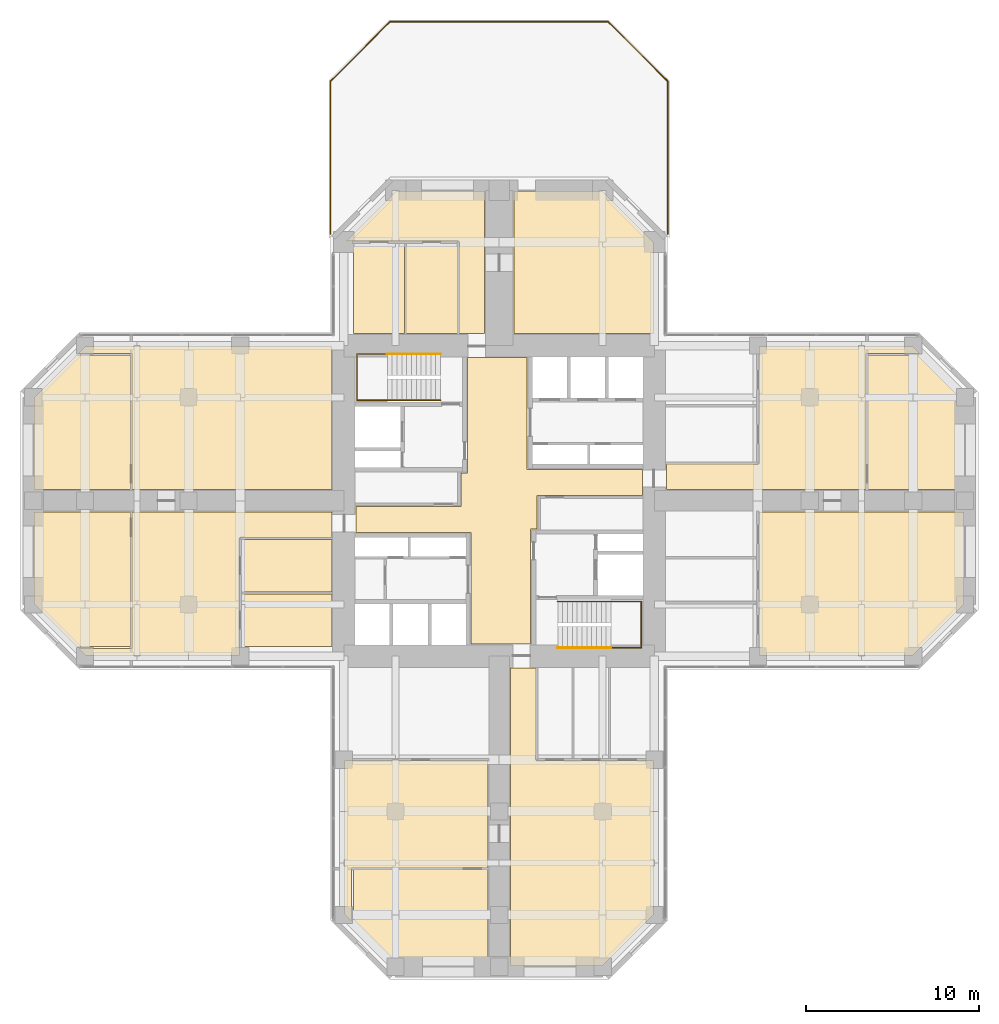
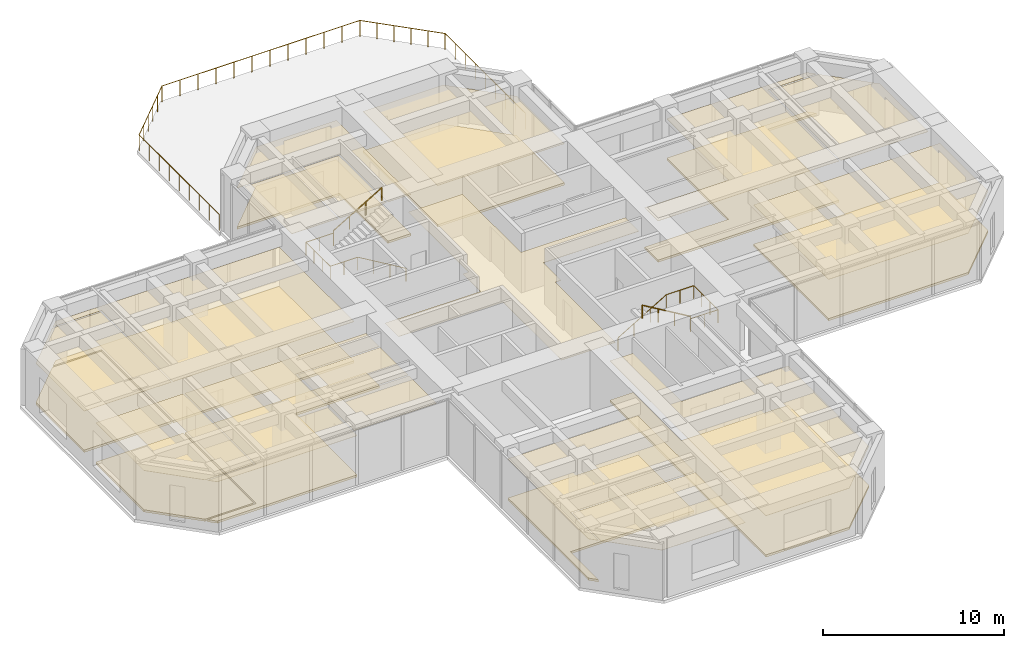
# One storey, part 12 of 12: 27 coverings, 5 railings.
"""IFC4 building model written with IfcOpenShell, lengths in metres."""

from ifc_helpers import new_model, si_unit, direction, frame, origin, origin_2d, place, context, subcontext, project, spatial, polyline, circle, outline, extrude, material, layer, layer_set, constituent, constituent_set, type_object, element, save


model = new_model("IFC4")

# Units and contexts
model_context = context("Model", 3, precision=1e-05, world=origin(), true_north=direction((0.0, 1.0)))
body_context = subcontext(model_context, "Body", "Model", "MODEL_VIEW")
ifc_project = project(units=[si_unit("LENGTHUNIT", "METRE"), si_unit("AREAUNIT", "SQUARE_METRE"), si_unit("VOLUMEUNIT", "CUBIC_METRE"), si_unit("PLANEANGLEUNIT", "RADIAN"), si_unit("MASSUNIT", "GRAM", prefix="KILO")], contexts=[model_context])

# Site, building, storey
site_placement = place(None, origin())
site = spatial("IfcSite", under=ifc_project, at=site_placement, CompositionType="ELEMENT")
building_placement = place(site_placement, origin())
building = spatial("IfcBuilding", under=site, at=building_placement, Name="Torre Cruceta", CompositionType="ELEMENT")
storey_placement = place(building_placement, frame((0.0, 0.0, 100.5)))
storey = spatial("IfcBuildingStorey", under=building, at=storey_placement, Name="L24", CompositionType="ELEMENT", Elevation=100.5)

# Railings
ifc_material_1 = material(Name="Stainless steel 1.4401", Category="steel")
railing_type_1 = type_object("IfcRailingType", Name="HANDRAIL 900", PredefinedType="HANDRAIL", material=ifc_material_1)
railing_1_placement = place(storey_placement, frame((-3.39990234375, 5.8349609375, 0.166748046875)))
element("IfcRailing", 1, at=railing_1_placement, inside=storey, type_object=railing_type_1, Name="Handrail HR1 ST1 L24", PredefinedType="HANDRAIL", context=body_context, shape_type="SweptSolid", body=[
    extrude(circle(Radius=0.02392578125, at=origin_2d()), frame((0.0, 0.0, 0.8759765625), z_axis=(-0.859308565015, 0.0, 0.511457515432), x_axis=(0.0, -1.0, 0.0)), (0.0, 0.0, 1.0), 3.58447265625),
    extrude(circle(Radius=0.02392578125, at=origin_2d()), frame((-3.080078125, 0.0, 2.708984375), z_axis=(-1.0, 0.0, 0.0), x_axis=(0.0, -1.0, 0.0)), (0.0, 0.0, 1.0), 1.760009765625),
    extrude(circle(Radius=0.02392578125, at=origin_2d()), frame((-4.840087890625, 0.0, 2.708984375), z_axis=(0.0, 1.0, 0.0), x_axis=(-1.0, 0.0, 0.0)), (0.0, 0.0, 1.0), 2.679931640625),
    extrude(circle(Radius=0.02392578125, at=origin_2d()), frame((-4.840087890625, 2.679931640625, 2.708984375), z_axis=(1.0, 0.0, 0.0), x_axis=(0.0, 1.0, 0.0)), (0.0, 0.0, 1.0), 1.760009765625),
    extrude(circle(Radius=0.02099609375, at=origin_2d()), origin(), (0.0, 0.0, 1.0), 0.851806640625),
    extrude(circle(Radius=0.02099609375, at=origin_2d()), frame((-1.026611328125, 0.0, 0.611083984375)), (0.0, 0.0, 1.0), 0.851806640625),
    extrude(circle(Radius=0.02099609375, at=origin_2d()), frame((-2.053466796875, 0.0, 1.22216796875)), (0.0, 0.0, 1.0), 0.851806640625),
    extrude(circle(Radius=0.02099609375, at=origin_2d()), frame((-3.080078125, 0.0, 1.833251953125)), (0.0, 0.0, 1.0), 0.851806640625),
    extrude(circle(Radius=0.02099609375, at=origin_2d()), frame((-3.9599609375, 0.0, 1.833251953125)), (0.0, 0.0, 1.0), 0.851806640625),
    extrude(circle(Radius=0.02099609375, at=origin_2d()), frame((-4.840087890625, 0.0, 1.833251953125)), (0.0, 0.0, 1.0), 0.851806640625),
    extrude(circle(Radius=0.02099609375, at=origin_2d()), frame((-4.840087890625, 0.893310546875, 1.833251953125)), (0.0, 0.0, 1.0), 0.851806640625),
    extrude(circle(Radius=0.02099609375, at=origin_2d()), frame((-4.840087890625, 1.78662109375, 1.833251953125)), (0.0, 0.0, 1.0), 0.851806640625),
    extrude(circle(Radius=0.02099609375, at=origin_2d()), frame((-4.840087890625, 2.679931640625, 1.833251953125)), (0.0, 0.0, 1.0), 0.851806640625),
    extrude(circle(Radius=0.02099609375, at=origin_2d()), frame((-3.9599609375, 2.679931640625, 1.833251953125)), (0.0, 0.0, 1.0), 0.851806640625),
    extrude(circle(Radius=0.02099609375, at=origin_2d()), frame((-3.080078125, 2.679931640625, 1.833251953125)), (0.0, 0.0, 1.0), 0.851806640625),
])
railing_2_placement = place(storey_placement, frame((-6.47998046875, 8.514892578125, 2.166748046875)))
element("IfcRailing", 2, at=railing_2_placement, inside=storey, type_object=railing_type_1, Name="Handrail HR1 ST1 L24", PredefinedType="HANDRAIL", context=body_context, shape_type="SweptSolid", body=[
    extrude(circle(Radius=0.02392578125, at=origin_2d()), frame((0.0, 0.0, 0.8759765625), z_axis=(0.859308565015, 0.0, 0.511457515432), x_axis=(0.0, 1.0, 0.0)), (0.0, 0.0, 1.0), 3.58447265625),
    extrude(circle(Radius=0.02099609375, at=origin_2d()), origin(), (0.0, 0.0, 1.0), 0.851806640625),
    extrude(circle(Radius=0.02099609375, at=origin_2d()), frame((1.026611328125, 0.0, 0.611083984375)), (0.0, 0.0, 1.0), 0.851806640625),
    extrude(circle(Radius=0.02099609375, at=origin_2d()), frame((2.053466796875, 0.0, 1.22216796875)), (0.0, 0.0, 1.0), 0.851806640625),
    extrude(circle(Radius=0.02099609375, at=origin_2d()), frame((3.080078125, 0.0, 1.833251953125)), (0.0, 0.0, 1.0), 0.851806640625),
])
railing_3_placement = place(storey_placement, frame((3.39990234375, -5.8349609375, 0.166748046875)))
element("IfcRailing", 3, at=railing_3_placement, inside=storey, type_object=railing_type_1, Name="Handrail HR1 ST2 L24", PredefinedType="HANDRAIL", context=body_context, shape_type="SweptSolid", body=[
    extrude(circle(Radius=0.02392578125, at=origin_2d()), frame((0.0, 0.0, 0.8759765625), z_axis=(0.859308565015, 0.0, 0.511457515432), x_axis=(0.0, 1.0, 0.0)), (0.0, 0.0, 1.0), 3.58447265625),
    extrude(circle(Radius=0.02392578125, at=origin_2d()), frame((3.080078125, 0.0, 2.708984375), z_axis=(1.0, 0.0, 0.0), x_axis=(0.0, 1.0, 0.0)), (0.0, 0.0, 1.0), 1.760009765625),
    extrude(circle(Radius=0.02392578125, at=origin_2d()), frame((4.840087890625, 0.0, 2.708984375), z_axis=(0.0, -1.0, 0.0), x_axis=(1.0, 0.0, 0.0)), (0.0, 0.0, 1.0), 2.679931640625),
    extrude(circle(Radius=0.02392578125, at=origin_2d()), frame((4.840087890625, -2.679931640625, 2.708984375), z_axis=(-1.0, 0.0, 0.0), x_axis=(0.0, -1.0, 0.0)), (0.0, 0.0, 1.0), 1.760009765625),
    extrude(circle(Radius=0.02099609375, at=origin_2d()), origin(), (0.0, 0.0, 1.0), 0.851806640625),
    extrude(circle(Radius=0.02099609375, at=origin_2d()), frame((1.026611328125, 0.0, 0.611083984375)), (0.0, 0.0, 1.0), 0.851806640625),
    extrude(circle(Radius=0.02099609375, at=origin_2d()), frame((2.053466796875, 0.0, 1.22216796875)), (0.0, 0.0, 1.0), 0.851806640625),
    extrude(circle(Radius=0.02099609375, at=origin_2d()), frame((3.080078125, 0.0, 1.833251953125)), (0.0, 0.0, 1.0), 0.851806640625),
    extrude(circle(Radius=0.02099609375, at=origin_2d()), frame((3.9599609375, 0.0, 1.833251953125)), (0.0, 0.0, 1.0), 0.851806640625),
    extrude(circle(Radius=0.02099609375, at=origin_2d()), frame((4.840087890625, 0.0, 1.833251953125)), (0.0, 0.0, 1.0), 0.851806640625),
    extrude(circle(Radius=0.02099609375, at=origin_2d()), frame((4.840087890625, -0.893310546875, 1.833251953125)), (0.0, 0.0, 1.0), 0.851806640625),
    extrude(circle(Radius=0.02099609375, at=origin_2d()), frame((4.840087890625, -1.78662109375, 1.833251953125)), (0.0, 0.0, 1.0), 0.851806640625),
    extrude(circle(Radius=0.02099609375, at=origin_2d()), frame((4.840087890625, -2.679931640625, 1.833251953125)), (0.0, 0.0, 1.0), 0.851806640625),
    extrude(circle(Radius=0.02099609375, at=origin_2d()), frame((3.9599609375, -2.679931640625, 1.833251953125)), (0.0, 0.0, 1.0), 0.851806640625),
    extrude(circle(Radius=0.02099609375, at=origin_2d()), frame((3.080078125, -2.679931640625, 1.833251953125)), (0.0, 0.0, 1.0), 0.851806640625),
])
railing_4_placement = place(storey_placement, frame((6.47998046875, -8.514892578125, 2.166748046875)))
element("IfcRailing", 4, at=railing_4_placement, inside=storey, type_object=railing_type_1, Name="Handrail HR1 ST2 L24", PredefinedType="HANDRAIL", context=body_context, shape_type="SweptSolid", body=[
    extrude(circle(Radius=0.02392578125, at=origin_2d()), frame((0.0, 0.0, 0.8759765625), z_axis=(-0.859308565015, 0.0, 0.511457515432), x_axis=(0.0, -1.0, 0.0)), (0.0, 0.0, 1.0), 3.58447265625),
    extrude(circle(Radius=0.02099609375, at=origin_2d()), origin(), (0.0, 0.0, 1.0), 0.851806640625),
    extrude(circle(Radius=0.02099609375, at=origin_2d()), frame((-1.026611328125, 0.0, 0.611083984375)), (0.0, 0.0, 1.0), 0.851806640625),
    extrude(circle(Radius=0.02099609375, at=origin_2d()), frame((-2.053466796875, 0.0, 1.22216796875)), (0.0, 0.0, 1.0), 0.851806640625),
    extrude(circle(Radius=0.02099609375, at=origin_2d()), frame((-3.080078125, 0.0, 1.833251953125)), (0.0, 0.0, 1.0), 0.851806640625),
])

# Coverings
ifc_material_2 = material(Name="Steel DX51D", Category="steel")
ifc_constituent_1 = constituent(ifc_material_2, Name="Panel casing")
ifc_material_3 = material(Name="Calcium sulphate", Category="gypsum")
ifc_constituent_2 = constituent(ifc_material_3, Name="Panel core")
ifc_constituent_set_1 = constituent_set(constituents=[ifc_constituent_1, ifc_constituent_2], Name="Raised access floor panel")
covering_type_1 = type_object("IfcCoveringType", Name="RAISED ACCESS FLOOR 150", PredefinedType="FLOORING", material=ifc_constituent_set_1)
covering_1_placement = place(storey_placement, origin())
element("IfcCovering", 5, at=covering_1_placement, inside=storey, type_object=covering_type_1, Name="Raised floor L24-027", PredefinedType="FLOORING", context=body_context, shape_type="SweptSolid", body=[
    extrude(outline(polyline([(-0.85009765625, 17.949951171875), (-0.85009765625, 9.699951171875), (-2.324951171875, 9.699951171875), (-2.324951171875, 15.050048828125), (-8.87939453125, 15.050048828125), (-5.979248046875, 17.949951171875), (-0.85009765625, 17.949951171875)])), origin(), (0.0, 0.0, 1.0), 0.14990234375),
])
covering_2_placement = place(storey_placement, origin())
element("IfcCovering", 6, at=covering_2_placement, inside=storey, type_object=covering_type_1, Name="Raised floor L24-028", PredefinedType="FLOORING", context=body_context, shape_type="SweptSolid", body=[
    extrude(outline(polyline([(5.979248046875, 17.949951171875), (8.949951171875, 14.979248046875), (8.949951171875, 9.699951171875), (0.85009765625, 9.699951171875), (0.85009765625, 17.949951171875), (5.979248046875, 17.949951171875)])), origin(), (0.0, 0.0, 1.0), 0.14990234375),
])
covering_3_placement = place(storey_placement, origin())
element("IfcCovering", 7, at=covering_3_placement, inside=storey, type_object=covering_type_1, Name="Raised floor L24-035", PredefinedType="FLOORING", context=body_context, shape_type="SweptSolid", body=[
    extrude(outline(polyline([(9.699951171875, 2.125), (15.050048828125, 2.125), (15.050048828125, 8.949951171875), (23.979248046875, 8.949951171875), (24.37939453125, 8.550048828125), (21.27001953125, 8.550048828125), (21.27001953125, 0.64990234375), (9.699951171875, 0.64990234375), (9.699951171875, 2.125)])), origin(), (0.0, 0.0, 1.0), 0.14990234375),
])
covering_4_placement = place(storey_placement, origin())
element("IfcCovering", 8, at=covering_4_placement, inside=storey, type_object=covering_type_1, Name="Raised floor L24-036", PredefinedType="FLOORING", context=body_context, shape_type="SweptSolid", body=[
    extrude(outline(polyline([(23.979248046875, -8.949951171875), (15.050048828125, -8.949951171875), (15.050048828125, -0.64990234375), (26.949951171875, -0.64990234375), (26.949951171875, -5.979248046875), (23.979248046875, -8.949951171875)])), origin(), (0.0, 0.0, 1.0), 0.14990234375),
])
covering_5_placement = place(storey_placement, origin())
element("IfcCovering", 9, at=covering_5_placement, inside=storey, type_object=covering_type_1, Name="Raised floor L24-042", PredefinedType="FLOORING", context=body_context, shape_type="SweptSolid", body=[
    extrude(outline(polyline([(2.125, -9.699951171875), (2.125, -15.050048828125), (8.949951171875, -15.050048828125), (8.949951171875, -23.979248046875), (5.979248046875, -26.949951171875), (0.64990234375, -26.949951171875), (0.64990234375, -9.699951171875), (2.125, -9.699951171875)])), origin(), (0.0, 0.0, 1.0), 0.14990234375),
])
covering_6_placement = place(storey_placement, origin())
element("IfcCovering", 10, at=covering_6_placement, inside=storey, type_object=covering_type_1, Name="Raised floor L24-043", PredefinedType="FLOORING", context=body_context, shape_type="SweptSolid", body=[
    extrude(outline(polyline([(-8.550048828125, -21.27001953125), (-8.550048828125, -24.37939453125), (-8.949951171875, -23.979248046875), (-8.949951171875, -15.050048828125), (-0.64990234375, -15.050048828125), (-0.64990234375, -21.27001953125), (-8.550048828125, -21.27001953125)])), origin(), (0.0, 0.0, 1.0), 0.14990234375),
])
covering_7_placement = place(storey_placement, origin())
element("IfcCovering", 11, at=covering_7_placement, inside=storey, type_object=covering_type_1, Name="Raised floor L24-046", PredefinedType="FLOORING", context=body_context, shape_type="SweptSolid", body=[
    extrude(outline(polyline([(-26.949951171875, -0.64990234375), (-21.3701171875, -0.64990234375), (-21.3701171875, -8.449951171875), (-24.479248046875, -8.449951171875), (-26.949951171875, -5.979248046875), (-26.949951171875, -0.64990234375)])), origin(), (0.0, 0.0, 1.0), 0.14990234375),
])
covering_8_placement = place(storey_placement, origin())
element("IfcCovering", 12, at=covering_8_placement, inside=storey, type_object=covering_type_1, Name="Raised floor L24-047", PredefinedType="FLOORING", context=body_context, shape_type="SweptSolid", body=[
    extrude(outline(polyline([(-24.479248046875, 8.449951171875), (-21.3701171875, 8.449951171875), (-21.3701171875, 0.64990234375), (-26.949951171875, 0.64990234375), (-26.949951171875, 5.979248046875), (-24.479248046875, 8.449951171875)])), origin(), (0.0, 0.0, 1.0), 0.14990234375),
])
covering_9_placement = place(storey_placement, origin())
element("IfcCovering", 13, at=covering_9_placement, inside=storey, type_object=covering_type_1, Name="Raised floor L24-048", PredefinedType="FLOORING", context=body_context, shape_type="SweptSolid", body=[
    extrude(outline(polyline([(-21.27001953125, -0.64990234375), (-9.699951171875, -0.64990234375), (-9.699951171875, -2.125), (-15.050048828125, -2.125), (-15.050048828125, -8.949951171875), (-23.979248046875, -8.949951171875), (-24.37939453125, -8.550048828125), (-21.27001953125, -8.550048828125), (-21.27001953125, -0.64990234375)])), origin(), (0.0, 0.0, 1.0), 0.14990234375),
])
covering_10_placement = place(storey_placement, origin())
element("IfcCovering", 14, at=covering_10_placement, inside=storey, type_object=covering_type_1, Name="Raised floor L24-049", PredefinedType="FLOORING", context=body_context, shape_type="SweptSolid", body=[
    extrude(outline(polyline([(-21.27001953125, 8.550048828125), (-24.37939453125, 8.550048828125), (-23.979248046875, 8.949951171875), (-9.699951171875, 8.949951171875), (-9.699951171875, 0.64990234375), (-21.27001953125, 0.64990234375), (-21.27001953125, 8.550048828125)])), origin(), (0.0, 0.0, 1.0), 0.14990234375),
])
ifc_material_4 = material(Name="Mineral fibre ceiling tile", Category="gypsum")
ifc_layer = layer(ifc_material_4, 0.02001953125)
ifc_layer_set = layer_set([ifc_layer], Name="Mineral fibre ceiling tile")
covering_type_2 = type_object("IfcCoveringType", Name="SUSPENDED CEILING 20", PredefinedType="CEILING", material=ifc_layer_set)
covering_11_placement = place(storey_placement, frame((0.0, 0.0, 2.780029296875)))
element("IfcCovering", 15, at=covering_11_placement, inside=storey, type_object=covering_type_2, Name="Ceiling L24-001", PredefinedType="CEILING", context=body_context, shape_type="SweptSolid", body=[
    extrude(outline(polyline([(1.824951171875, -8.300048828125), (-1.625, -8.300048828125), (-1.625, -1.824951171875), (-8.300048828125, -1.824951171875), (-8.300048828125, -0.324951171875), (-2.199951171875, -0.324951171875), (-2.199951171875, 1.625), (-1.824951171875, 1.625), (-1.824951171875, 8.300048828125), (1.625, 8.300048828125), (1.625, 1.824951171875), (8.300048828125, 1.824951171875), (8.300048828125, 0.324951171875), (2.199951171875, 0.324951171875), (2.199951171875, -1.625), (1.824951171875, -1.625), (1.824951171875, -8.300048828125)])), origin(), (0.0, 0.0, 1.0), 0.02001953125),
])
covering_12_placement = place(storey_placement, frame((0.0, 0.0, 2.780029296875)))
element("IfcCovering", 16, at=covering_12_placement, inside=storey, type_object=covering_type_2, Name="Ceiling L24-025", PredefinedType="CEILING", context=body_context, shape_type="SweptSolid", body=[
    extrude(outline(polyline([(-2.425048828125, 9.699951171875), (-5.387451171875, 9.699951171875), (-5.387451171875, 14.949951171875), (-2.425048828125, 14.949951171875), (-2.425048828125, 9.699951171875)])), origin(), (0.0, 0.0, 1.0), 0.02001953125),
])
covering_13_placement = place(storey_placement, frame((0.0, 0.0, 2.780029296875)))
element("IfcCovering", 17, at=covering_13_placement, inside=storey, type_object=covering_type_2, Name="Ceiling L24-026", PredefinedType="CEILING", context=body_context, shape_type="SweptSolid", body=[
    extrude(outline(polyline([(-5.487548828125, 9.699951171875), (-8.449951171875, 9.699951171875), (-8.449951171875, 14.949951171875), (-5.487548828125, 14.949951171875), (-5.487548828125, 9.699951171875)])), origin(), (0.0, 0.0, 1.0), 0.02001953125),
])
covering_14_placement = place(storey_placement, frame((0.0, 0.0, 2.780029296875)))
element("IfcCovering", 18, at=covering_14_placement, inside=storey, type_object=covering_type_2, Name="Ceiling L24-027", PredefinedType="CEILING", context=body_context, shape_type="SweptSolid", body=[
    extrude(outline(polyline([(-0.85009765625, 17.949951171875), (-0.85009765625, 9.699951171875), (-2.324951171875, 9.699951171875), (-2.324951171875, 15.050048828125), (-8.87939453125, 15.050048828125), (-5.979248046875, 17.949951171875), (-0.85009765625, 17.949951171875)])), origin(), (0.0, 0.0, 1.0), 0.02001953125),
])
covering_15_placement = place(storey_placement, frame((0.0, 0.0, 2.780029296875)))
element("IfcCovering", 19, at=covering_15_placement, inside=storey, type_object=covering_type_2, Name="Ceiling L24-028", PredefinedType="CEILING", context=body_context, shape_type="SweptSolid", body=[
    extrude(outline(polyline([(5.979248046875, 17.949951171875), (8.949951171875, 14.979248046875), (8.949951171875, 9.699951171875), (0.85009765625, 9.699951171875), (0.85009765625, 17.949951171875), (5.979248046875, 17.949951171875)])), origin(), (0.0, 0.0, 1.0), 0.02001953125),
])
covering_16_placement = place(storey_placement, frame((0.0, 0.0, 2.780029296875)))
element("IfcCovering", 20, at=covering_16_placement, inside=storey, type_object=covering_type_2, Name="Ceiling L24-034", PredefinedType="CEILING", context=body_context, shape_type="SweptSolid", body=[
    extrude(outline(polyline([(26.949951171875, 0.64990234375), (21.3701171875, 0.64990234375), (21.3701171875, 8.449951171875), (24.479248046875, 8.449951171875), (26.949951171875, 5.979248046875), (26.949951171875, 0.64990234375)])), origin(), (0.0, 0.0, 1.0), 0.02001953125),
])
covering_17_placement = place(storey_placement, frame((0.0, 0.0, 2.780029296875)))
element("IfcCovering", 21, at=covering_17_placement, inside=storey, type_object=covering_type_2, Name="Ceiling L24-035", PredefinedType="CEILING", context=body_context, shape_type="SweptSolid", body=[
    extrude(outline(polyline([(9.699951171875, 2.125), (15.050048828125, 2.125), (15.050048828125, 8.949951171875), (23.979248046875, 8.949951171875), (24.37939453125, 8.550048828125), (21.27001953125, 8.550048828125), (21.27001953125, 0.64990234375), (9.699951171875, 0.64990234375), (9.699951171875, 2.125)])), origin(), (0.0, 0.0, 1.0), 0.02001953125),
])
covering_18_placement = place(storey_placement, frame((0.0, 0.0, 2.780029296875)))
element("IfcCovering", 22, at=covering_18_placement, inside=storey, type_object=covering_type_2, Name="Ceiling L24-036", PredefinedType="CEILING", context=body_context, shape_type="SweptSolid", body=[
    extrude(outline(polyline([(23.979248046875, -8.949951171875), (15.050048828125, -8.949951171875), (15.050048828125, -0.64990234375), (26.949951171875, -0.64990234375), (26.949951171875, -5.979248046875), (23.979248046875, -8.949951171875)])), origin(), (0.0, 0.0, 1.0), 0.02001953125),
])
covering_19_placement = place(storey_placement, frame((0.0, 0.0, 2.780029296875)))
element("IfcCovering", 23, at=covering_19_placement, inside=storey, type_object=covering_type_2, Name="Ceiling L24-041", PredefinedType="CEILING", context=body_context, shape_type="SweptSolid", body=[
    extrude(outline(polyline([(-8.449951171875, -24.479248046875), (-8.449951171875, -21.3701171875), (-0.64990234375, -21.3701171875), (-0.64990234375, -26.949951171875), (-5.979248046875, -26.949951171875), (-8.449951171875, -24.479248046875)])), origin(), (0.0, 0.0, 1.0), 0.02001953125),
])
covering_20_placement = place(storey_placement, frame((0.0, 0.0, 2.780029296875)))
element("IfcCovering", 24, at=covering_20_placement, inside=storey, type_object=covering_type_2, Name="Ceiling L24-042", PredefinedType="CEILING", context=body_context, shape_type="SweptSolid", body=[
    extrude(outline(polyline([(2.125, -9.699951171875), (2.125, -15.050048828125), (8.949951171875, -15.050048828125), (8.949951171875, -23.979248046875), (5.979248046875, -26.949951171875), (0.64990234375, -26.949951171875), (0.64990234375, -9.699951171875), (2.125, -9.699951171875)])), origin(), (0.0, 0.0, 1.0), 0.02001953125),
])
covering_21_placement = place(storey_placement, frame((0.0, 0.0, 2.780029296875)))
element("IfcCovering", 25, at=covering_21_placement, inside=storey, type_object=covering_type_2, Name="Ceiling L24-043", PredefinedType="CEILING", context=body_context, shape_type="SweptSolid", body=[
    extrude(outline(polyline([(-8.550048828125, -21.27001953125), (-8.550048828125, -24.37939453125), (-8.949951171875, -23.979248046875), (-8.949951171875, -15.050048828125), (-0.64990234375, -15.050048828125), (-0.64990234375, -21.27001953125), (-8.550048828125, -21.27001953125)])), origin(), (0.0, 0.0, 1.0), 0.02001953125),
])
covering_22_placement = place(storey_placement, frame((0.0, 0.0, 2.780029296875)))
element("IfcCovering", 26, at=covering_22_placement, inside=storey, type_object=covering_type_2, Name="Ceiling L24-044", PredefinedType="CEILING", context=body_context, shape_type="SweptSolid", body=[
    extrude(outline(polyline([(-9.699951171875, -2.22509765625), (-9.699951171875, -5.28759765625), (-14.949951171875, -5.28759765625), (-14.949951171875, -2.22509765625), (-9.699951171875, -2.22509765625)])), origin(), (0.0, 0.0, 1.0), 0.02001953125),
])
covering_23_placement = place(storey_placement, frame((0.0, 0.0, 2.780029296875)))
element("IfcCovering", 27, at=covering_23_placement, inside=storey, type_object=covering_type_2, Name="Ceiling L24-045", PredefinedType="CEILING", context=body_context, shape_type="SweptSolid", body=[
    extrude(outline(polyline([(-9.699951171875, -5.387451171875), (-9.699951171875, -8.449951171875), (-14.949951171875, -8.449951171875), (-14.949951171875, -5.387451171875), (-9.699951171875, -5.387451171875)])), origin(), (0.0, 0.0, 1.0), 0.02001953125),
])
covering_24_placement = place(storey_placement, frame((0.0, 0.0, 2.780029296875)))
element("IfcCovering", 28, at=covering_24_placement, inside=storey, type_object=covering_type_2, Name="Ceiling L24-046", PredefinedType="CEILING", context=body_context, shape_type="SweptSolid", body=[
    extrude(outline(polyline([(-26.949951171875, -0.64990234375), (-21.3701171875, -0.64990234375), (-21.3701171875, -8.449951171875), (-24.479248046875, -8.449951171875), (-26.949951171875, -5.979248046875), (-26.949951171875, -0.64990234375)])), origin(), (0.0, 0.0, 1.0), 0.02001953125),
])
covering_25_placement = place(storey_placement, frame((0.0, 0.0, 2.780029296875)))
element("IfcCovering", 29, at=covering_25_placement, inside=storey, type_object=covering_type_2, Name="Ceiling L24-047", PredefinedType="CEILING", context=body_context, shape_type="SweptSolid", body=[
    extrude(outline(polyline([(-24.479248046875, 8.449951171875), (-21.3701171875, 8.449951171875), (-21.3701171875, 0.64990234375), (-26.949951171875, 0.64990234375), (-26.949951171875, 5.979248046875), (-24.479248046875, 8.449951171875)])), origin(), (0.0, 0.0, 1.0), 0.02001953125),
])
covering_26_placement = place(storey_placement, frame((0.0, 0.0, 2.780029296875)))
element("IfcCovering", 30, at=covering_26_placement, inside=storey, type_object=covering_type_2, Name="Ceiling L24-048", PredefinedType="CEILING", context=body_context, shape_type="SweptSolid", body=[
    extrude(outline(polyline([(-21.27001953125, -0.64990234375), (-9.699951171875, -0.64990234375), (-9.699951171875, -2.125), (-15.050048828125, -2.125), (-15.050048828125, -8.949951171875), (-23.979248046875, -8.949951171875), (-24.37939453125, -8.550048828125), (-21.27001953125, -8.550048828125), (-21.27001953125, -0.64990234375)])), origin(), (0.0, 0.0, 1.0), 0.02001953125),
])
covering_27_placement = place(storey_placement, frame((0.0, 0.0, 2.780029296875)))
element("IfcCovering", 31, at=covering_27_placement, inside=storey, type_object=covering_type_2, Name="Ceiling L24-049", PredefinedType="CEILING", context=body_context, shape_type="SweptSolid", body=[
    extrude(outline(polyline([(-21.27001953125, 8.550048828125), (-24.37939453125, 8.550048828125), (-23.979248046875, 8.949951171875), (-9.699951171875, 8.949951171875), (-9.699951171875, 0.64990234375), (-21.27001953125, 0.64990234375), (-21.27001953125, 8.550048828125)])), origin(), (0.0, 0.0, 1.0), 0.02001953125),
])

# Railing
ifc_material_5 = material(Name="Stainless steel 1.4401", Category="steel")
ifc_constituent_3 = constituent(ifc_material_5, Name="Frame")
ifc_material_6 = material(Name="Laminated safety glass", Category="glass")
ifc_constituent_4 = constituent(ifc_material_6, Name="Infill")
ifc_constituent_set_2 = constituent_set(constituents=[ifc_constituent_3, ifc_constituent_4], Name="Stainless steel and laminated glass balustrade")
railing_type_2 = type_object("IfcRailingType", Name="TERRACE GUARD 1100", PredefinedType="GUARDRAIL", material=ifc_constituent_set_2)
railing_5_placement = place(storey_placement, frame((-9.77001953125, 15.46044921875, 0.0)))
element("IfcRailing", 32, at=railing_5_placement, inside=storey, type_object=railing_type_2, Name="GR1 terrace guard L24 1", PredefinedType="GUARDRAIL", context=body_context, shape_type="SweptSolid", body=[
    extrude(circle(Radius=0.02392578125, at=origin_2d()), frame((0.0, 0.0, 1.076171875), z_axis=(0.0, 1.0, 0.0), x_axis=(-1.0, 0.0, 0.0)), (0.0, 0.0, 1.0), 8.8583984375),
    extrude(circle(Radius=0.02392578125, at=origin_2d()), frame((0.0, 8.8583984375, 1.076171875), z_axis=(0.707106781187, 0.707106781187, 0.0), x_axis=(-0.707106781187, 0.707106781187, 0.0)), (0.0, 0.0, 1.0), 4.880615234375),
    extrude(circle(Radius=0.02392578125, at=origin_2d()), frame((3.451171875, 12.3095703125, 1.076171875), z_axis=(1.0, 0.0, 0.0), x_axis=(0.0, 1.0, 0.0)), (0.0, 0.0, 1.0), 12.6376953125),
    extrude(circle(Radius=0.02392578125, at=origin_2d()), frame((16.0888671875, 12.3095703125, 1.076171875), z_axis=(0.707106781187, -0.707106781187, 0.0), x_axis=(0.707106781187, 0.707106781187, 0.0)), (0.0, 0.0, 1.0), 4.880615234375),
    extrude(circle(Radius=0.02392578125, at=origin_2d()), frame((19.5400390625, 8.8583984375, 1.076171875), z_axis=(0.0, -1.0, 0.0), x_axis=(1.0, 0.0, 0.0)), (0.0, 0.0, 1.0), 8.8583984375),
    extrude(circle(Radius=0.02099609375, at=origin_2d()), origin(), (0.0, 0.0, 1.0), 1.052001953125),
    extrude(circle(Radius=0.02099609375, at=origin_2d()), frame((0.0, 1.107421875, 0.0)), (0.0, 0.0, 1.0), 1.052001953125),
    extrude(circle(Radius=0.02099609375, at=origin_2d()), frame((0.0, 2.214599609375, 0.0)), (0.0, 0.0, 1.0), 1.052001953125),
    extrude(circle(Radius=0.02099609375, at=origin_2d()), frame((0.0, 3.32177734375, 0.0)), (0.0, 0.0, 1.0), 1.052001953125),
    extrude(circle(Radius=0.02099609375, at=origin_2d()), frame((0.0, 4.42919921875, 0.0)), (0.0, 0.0, 1.0), 1.052001953125),
    extrude(circle(Radius=0.02099609375, at=origin_2d()), frame((0.0, 5.53662109375, 0.0)), (0.0, 0.0, 1.0), 1.052001953125),
    extrude(circle(Radius=0.02099609375, at=origin_2d()), frame((0.0, 6.643798828125, 0.0)), (0.0, 0.0, 1.0), 1.052001953125),
    extrude(circle(Radius=0.02099609375, at=origin_2d()), frame((0.0, 7.7509765625, 0.0)), (0.0, 0.0, 1.0), 1.052001953125),
    extrude(circle(Radius=0.02099609375, at=origin_2d()), frame((0.0, 8.8583984375, 0.0)), (0.0, 0.0, 1.0), 1.052001953125),
    extrude(circle(Radius=0.02099609375, at=origin_2d()), frame((0.690185546875, 9.548583984375, 0.0)), (0.0, 0.0, 1.0), 1.052001953125),
    extrude(circle(Radius=0.02099609375, at=origin_2d()), frame((1.38037109375, 10.23876953125, 0.0)), (0.0, 0.0, 1.0), 1.052001953125),
    extrude(circle(Radius=0.02099609375, at=origin_2d()), frame((2.07080078125, 10.92919921875, 0.0)), (0.0, 0.0, 1.0), 1.052001953125),
    extrude(circle(Radius=0.02099609375, at=origin_2d()), frame((2.760986328125, 11.619384765625, 0.0)), (0.0, 0.0, 1.0), 1.052001953125),
    extrude(circle(Radius=0.02099609375, at=origin_2d()), frame((3.451171875, 12.3095703125, 0.0)), (0.0, 0.0, 1.0), 1.052001953125),
    extrude(circle(Radius=0.02099609375, at=origin_2d()), frame((4.60009765625, 12.3095703125, 0.0)), (0.0, 0.0, 1.0), 1.052001953125),
    extrude(circle(Radius=0.02099609375, at=origin_2d()), frame((5.7490234375, 12.3095703125, 0.0)), (0.0, 0.0, 1.0), 1.052001953125),
    extrude(circle(Radius=0.02099609375, at=origin_2d()), frame((6.897705078125, 12.3095703125, 0.0)), (0.0, 0.0, 1.0), 1.052001953125),
    extrude(circle(Radius=0.02099609375, at=origin_2d()), frame((8.046630859375, 12.3095703125, 0.0)), (0.0, 0.0, 1.0), 1.052001953125),
    extrude(circle(Radius=0.02099609375, at=origin_2d()), frame((9.195556640625, 12.3095703125, 0.0)), (0.0, 0.0, 1.0), 1.052001953125),
    extrude(circle(Radius=0.02099609375, at=origin_2d()), frame((10.344482421875, 12.3095703125, 0.0)), (0.0, 0.0, 1.0), 1.052001953125),
    extrude(circle(Radius=0.02099609375, at=origin_2d()), frame((11.493408203125, 12.3095703125, 0.0)), (0.0, 0.0, 1.0), 1.052001953125),
    extrude(circle(Radius=0.02099609375, at=origin_2d()), frame((12.642333984375, 12.3095703125, 0.0)), (0.0, 0.0, 1.0), 1.052001953125),
    extrude(circle(Radius=0.02099609375, at=origin_2d()), frame((13.791015625, 12.3095703125, 0.0)), (0.0, 0.0, 1.0), 1.052001953125),
    extrude(circle(Radius=0.02099609375, at=origin_2d()), frame((14.93994140625, 12.3095703125, 0.0)), (0.0, 0.0, 1.0), 1.052001953125),
    extrude(circle(Radius=0.02099609375, at=origin_2d()), frame((16.0888671875, 12.3095703125, 0.0)), (0.0, 0.0, 1.0), 1.052001953125),
    extrude(circle(Radius=0.02099609375, at=origin_2d()), frame((16.779052734375, 11.619384765625, 0.0)), (0.0, 0.0, 1.0), 1.052001953125),
    extrude(circle(Radius=0.02099609375, at=origin_2d()), frame((17.46923828125, 10.92919921875, 0.0)), (0.0, 0.0, 1.0), 1.052001953125),
    extrude(circle(Radius=0.02099609375, at=origin_2d()), frame((18.15966796875, 10.23876953125, 0.0)), (0.0, 0.0, 1.0), 1.052001953125),
    extrude(circle(Radius=0.02099609375, at=origin_2d()), frame((18.849853515625, 9.548583984375, 0.0)), (0.0, 0.0, 1.0), 1.052001953125),
    extrude(circle(Radius=0.02099609375, at=origin_2d()), frame((19.5400390625, 8.8583984375, 0.0)), (0.0, 0.0, 1.0), 1.052001953125),
    extrude(circle(Radius=0.02099609375, at=origin_2d()), frame((19.5400390625, 7.7509765625, 0.0)), (0.0, 0.0, 1.0), 1.052001953125),
    extrude(circle(Radius=0.02099609375, at=origin_2d()), frame((19.5400390625, 6.643798828125, 0.0)), (0.0, 0.0, 1.0), 1.052001953125),
    extrude(circle(Radius=0.02099609375, at=origin_2d()), frame((19.5400390625, 5.53662109375, 0.0)), (0.0, 0.0, 1.0), 1.052001953125),
    extrude(circle(Radius=0.02099609375, at=origin_2d()), frame((19.5400390625, 4.42919921875, 0.0)), (0.0, 0.0, 1.0), 1.052001953125),
    extrude(circle(Radius=0.02099609375, at=origin_2d()), frame((19.5400390625, 3.32177734375, 0.0)), (0.0, 0.0, 1.0), 1.052001953125),
    extrude(circle(Radius=0.02099609375, at=origin_2d()), frame((19.5400390625, 2.214599609375, 0.0)), (0.0, 0.0, 1.0), 1.052001953125),
    extrude(circle(Radius=0.02099609375, at=origin_2d()), frame((19.5400390625, 1.107421875, 0.0)), (0.0, 0.0, 1.0), 1.052001953125),
    extrude(circle(Radius=0.02099609375, at=origin_2d()), frame((19.5400390625, 0.0, 0.0)), (0.0, 0.0, 1.0), 1.052001953125),
])

save(model, "model.ifc")
